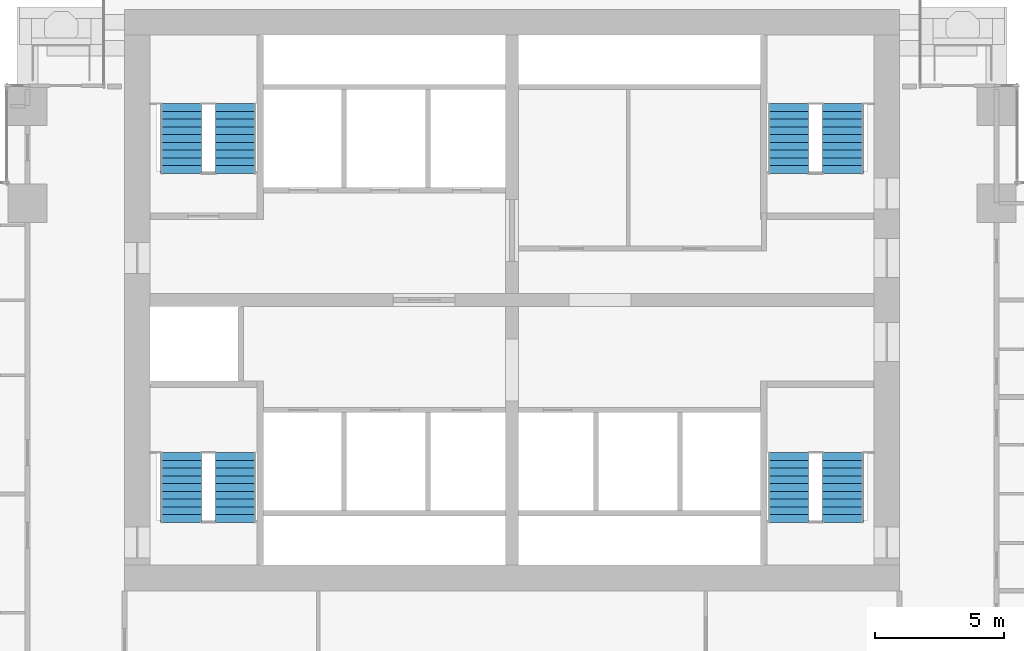
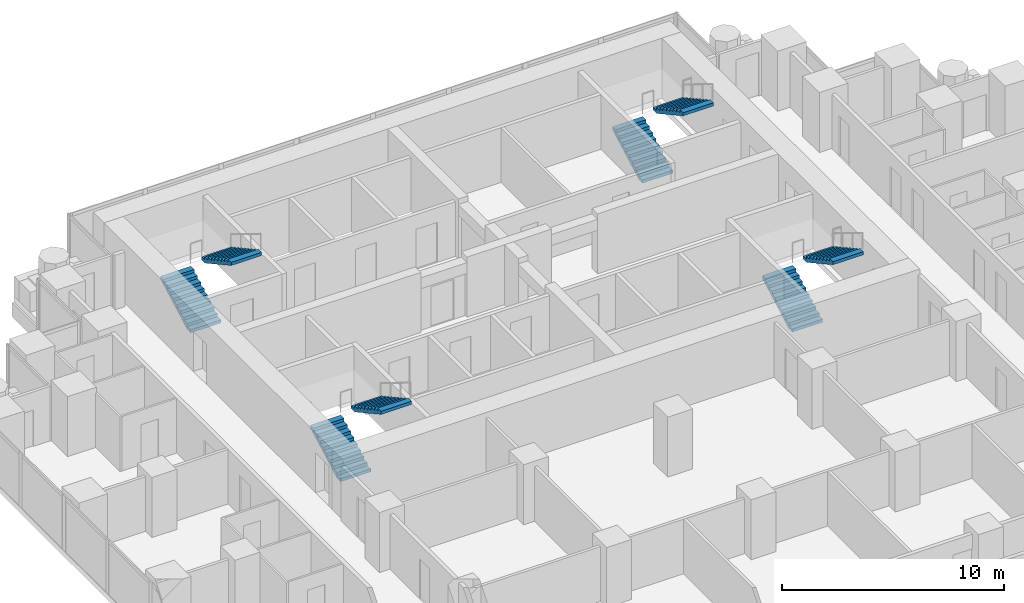
# One storey, part 17 of 20: 8 stair flights, 4 elements without a shape of their own.
"""IFC4 building model written with IfcOpenShell, lengths in metres."""

from ifc_helpers import new_model, si_unit, direction, frame, origin, place, context, subcontext, project, spatial, polyline, outline, extrude, material, type_object, element, aggregate, save


model = new_model("IFC4")

# Units and contexts
model_context = context("Model", 3, precision=1e-05, world=origin(), true_north=direction((0.0, 1.0)))
body_context = subcontext(model_context, "Body", "Model", "MODEL_VIEW")
ifc_project = project(units=[si_unit("LENGTHUNIT", "METRE"), si_unit("AREAUNIT", "SQUARE_METRE"), si_unit("VOLUMEUNIT", "CUBIC_METRE"), si_unit("PLANEANGLEUNIT", "RADIAN"), si_unit("MASSUNIT", "GRAM", prefix="KILO")], contexts=[model_context])

# Site, building, storey
site_placement = place(None, origin())
site = spatial("IfcSite", under=ifc_project, at=site_placement, CompositionType="ELEMENT")
building_placement = place(site_placement, origin())
building = spatial("IfcBuilding", under=site, at=building_placement, Name="Pilkhan Gate Tower", CompositionType="ELEMENT")
storey_placement = place(building_placement, frame((0.0, 0.0, 92.300048828125)))
storey = spatial("IfcBuildingStorey", under=building, at=storey_placement, Name="L22", CompositionType="ELEMENT", Elevation=92.300048828125)

# Stair, stair flights
ifc_material = material(Name="Concrete C40/50 precast", Category="concrete")
stair_type_1 = type_object("IfcStairType", Name="Stair ST1 165x300", PredefinedType="HALF_TURN_STAIR", material=ifc_material)
stair_1_placement = place(storey_placement, origin())
stair_1 = element("IfcStair", 1, at=stair_1_placement, inside=storey, type_object=stair_type_1, Name="Stair ST1 L22", PredefinedType="HALF_TURN_STAIR")
stair_flight_type_1 = type_object("IfcStairFlightType", Name="Stair flight ST1 165x300x10", PredefinedType="STRAIGHT", material=ifc_material)
stair_flight_1_placement = place(storey_placement, frame((85.68994140625, 73.89990234375, 0.0), z_axis=(0.0, 0.0, 1.0), x_axis=(0.0, 1.0, 0.0)))
stair_flight_1 = element("IfcStairFlight", 2, at=stair_flight_1_placement, type_object=stair_flight_type_1, Name="ST1 flight 1", NumberOfRisers=10, NumberOfTreads=9, PredefinedType="STRAIGHT", RiserHeight=0.165, TreadLength=0.3, context=body_context, shape_type="SweptSolid", body=[
    extrude(outline(polyline([(0.0, 0.0), (0.0, 0.1650390625), (0.300048828125, 0.1650390625), (0.300048828125, 0.330078125), (0.60009765625, 0.330078125), (0.60009765625, 0.4951171875), (0.89990234375, 0.4951171875), (0.89990234375, 0.659912109375), (1.199951171875, 0.659912109375), (1.199951171875, 0.824951171875), (1.5, 0.824951171875), (1.5, 0.989990234375), (1.800048828125, 0.989990234375), (1.800048828125, 1.155029296875), (2.10009765625, 1.155029296875), (2.10009765625, 1.320068359375), (2.39990234375, 1.320068359375), (2.39990234375, 1.485107421875), (2.699951171875, 1.485107421875), (2.699951171875, 1.64990234375), (2.699951171875, 1.31396484375), (0.31103515625, 0.0), (0.0, 0.0)])), frame((0.0, 0.7900390625, 0.0), z_axis=(0.0, -1.0, 0.0), x_axis=(1.0, 0.0, 0.0)), (0.0, 0.0, 1.0), 1.580078125),
])
stair_flight_2_placement = place(storey_placement, frame((87.81005859375, 76.60009765625, 1.64990234375), z_axis=(0.0, 0.0, 1.0), x_axis=(0.0, -1.0, 0.0)))
stair_flight_2 = element("IfcStairFlight", 3, at=stair_flight_2_placement, type_object=stair_flight_type_1, Name="ST1 flight 2", NumberOfRisers=10, NumberOfTreads=9, PredefinedType="STRAIGHT", RiserHeight=0.165, TreadLength=0.3, context=body_context, shape_type="SweptSolid", body=[
    extrude(outline(polyline([(0.0, 0.0), (0.0, 0.1650390625), (0.300048828125, 0.1650390625), (0.300048828125, 0.330078125), (0.60009765625, 0.330078125), (0.60009765625, 0.4951171875), (0.89990234375, 0.4951171875), (0.89990234375, 0.659912109375), (1.199951171875, 0.659912109375), (1.199951171875, 0.824951171875), (1.5, 0.824951171875), (1.5, 0.989990234375), (1.800048828125, 0.989990234375), (1.800048828125, 1.155029296875), (2.10009765625, 1.155029296875), (2.10009765625, 1.320068359375), (2.39990234375, 1.320068359375), (2.39990234375, 1.485107421875), (2.699951171875, 1.485107421875), (2.699951171875, 1.64990234375), (2.699951171875, 1.31396484375), (0.31103515625, 0.0), (0.0, 0.0)])), frame((0.0, 0.7900390625, 0.0), z_axis=(0.0, -1.0, 0.0), x_axis=(1.0, 0.0, 0.0)), (0.0, 0.0, 1.0), 1.580078125),
])
aggregate(stair_1, [stair_flight_1, stair_flight_2])

stair_type_2 = type_object("IfcStairType", Name="Stair ST2 165x300", PredefinedType="HALF_TURN_STAIR", material=ifc_material)
stair_2_placement = place(storey_placement, origin())
stair_2 = element("IfcStair", 4, at=stair_2_placement, inside=storey, type_object=stair_type_2, Name="Stair ST2 L22", PredefinedType="HALF_TURN_STAIR")
stair_flight_type_2 = type_object("IfcStairFlightType", Name="Stair flight ST2 165x300x10", PredefinedType="STRAIGHT", material=ifc_material)
stair_flight_3_placement = place(storey_placement, frame((62.18994140625, 73.89990234375, 0.0), z_axis=(0.0, 0.0, 1.0), x_axis=(0.0, 1.0, 0.0)))
stair_flight_3 = element("IfcStairFlight", 5, at=stair_flight_3_placement, type_object=stair_flight_type_2, Name="ST2 flight 1", NumberOfRisers=10, NumberOfTreads=9, PredefinedType="STRAIGHT", RiserHeight=0.165, TreadLength=0.3, context=body_context, shape_type="SweptSolid", body=[
    extrude(outline(polyline([(0.0, 0.0), (0.0, 0.1650390625), (0.300048828125, 0.1650390625), (0.300048828125, 0.330078125), (0.60009765625, 0.330078125), (0.60009765625, 0.4951171875), (0.89990234375, 0.4951171875), (0.89990234375, 0.659912109375), (1.199951171875, 0.659912109375), (1.199951171875, 0.824951171875), (1.5, 0.824951171875), (1.5, 0.989990234375), (1.800048828125, 0.989990234375), (1.800048828125, 1.155029296875), (2.10009765625, 1.155029296875), (2.10009765625, 1.320068359375), (2.39990234375, 1.320068359375), (2.39990234375, 1.485107421875), (2.699951171875, 1.485107421875), (2.699951171875, 1.64990234375), (2.699951171875, 1.31396484375), (0.31103515625, 0.0), (0.0, 0.0)])), frame((0.0, 0.7900390625, 0.0), z_axis=(0.0, -1.0, 0.0), x_axis=(1.0, 0.0, 0.0)), (0.0, 0.0, 1.0), 1.580078125),
])
stair_flight_4_placement = place(storey_placement, frame((64.31005859375, 76.60009765625, 1.64990234375), z_axis=(0.0, 0.0, 1.0), x_axis=(0.0, -1.0, 0.0)))
stair_flight_4 = element("IfcStairFlight", 6, at=stair_flight_4_placement, type_object=stair_flight_type_2, Name="ST2 flight 2", NumberOfRisers=10, NumberOfTreads=9, PredefinedType="STRAIGHT", RiserHeight=0.165, TreadLength=0.3, context=body_context, shape_type="SweptSolid", body=[
    extrude(outline(polyline([(0.0, 0.0), (0.0, 0.1650390625), (0.300048828125, 0.1650390625), (0.300048828125, 0.330078125), (0.60009765625, 0.330078125), (0.60009765625, 0.4951171875), (0.89990234375, 0.4951171875), (0.89990234375, 0.659912109375), (1.199951171875, 0.659912109375), (1.199951171875, 0.824951171875), (1.5, 0.824951171875), (1.5, 0.989990234375), (1.800048828125, 0.989990234375), (1.800048828125, 1.155029296875), (2.10009765625, 1.155029296875), (2.10009765625, 1.320068359375), (2.39990234375, 1.320068359375), (2.39990234375, 1.485107421875), (2.699951171875, 1.485107421875), (2.699951171875, 1.64990234375), (2.699951171875, 1.31396484375), (0.31103515625, 0.0), (0.0, 0.0)])), frame((0.0, 0.7900390625, 0.0), z_axis=(0.0, -1.0, 0.0), x_axis=(1.0, 0.0, 0.0)), (0.0, 0.0, 1.0), 1.580078125),
])
aggregate(stair_2, [stair_flight_3, stair_flight_4])

stair_type_3 = type_object("IfcStairType", Name="Stair ST3 165x300", PredefinedType="HALF_TURN_STAIR", material=ifc_material)
stair_3_placement = place(storey_placement, origin())
stair_3 = element("IfcStair", 7, at=stair_3_placement, inside=storey, type_object=stair_type_3, Name="Stair ST3 L22", PredefinedType="HALF_TURN_STAIR")
stair_flight_type_3 = type_object("IfcStairFlightType", Name="Stair flight ST3 165x300x10", PredefinedType="STRAIGHT", material=ifc_material)
stair_flight_5_placement = place(storey_placement, frame((62.18994140625, 87.39990234375, 0.0), z_axis=(0.0, 0.0, 1.0), x_axis=(0.0, 1.0, 0.0)))
stair_flight_5 = element("IfcStairFlight", 8, at=stair_flight_5_placement, type_object=stair_flight_type_3, Name="ST3 flight 1", NumberOfRisers=10, NumberOfTreads=9, PredefinedType="STRAIGHT", RiserHeight=0.165, TreadLength=0.3, context=body_context, shape_type="SweptSolid", body=[
    extrude(outline(polyline([(0.0, 0.0), (0.0, 0.1650390625), (0.300048828125, 0.1650390625), (0.300048828125, 0.330078125), (0.60009765625, 0.330078125), (0.60009765625, 0.4951171875), (0.89990234375, 0.4951171875), (0.89990234375, 0.659912109375), (1.199951171875, 0.659912109375), (1.199951171875, 0.824951171875), (1.5, 0.824951171875), (1.5, 0.989990234375), (1.800048828125, 0.989990234375), (1.800048828125, 1.155029296875), (2.10009765625, 1.155029296875), (2.10009765625, 1.320068359375), (2.39990234375, 1.320068359375), (2.39990234375, 1.485107421875), (2.699951171875, 1.485107421875), (2.699951171875, 1.64990234375), (2.699951171875, 1.31396484375), (0.31103515625, 0.0), (0.0, 0.0)])), frame((0.0, 0.7900390625, 0.0), z_axis=(0.0, -1.0, 0.0), x_axis=(1.0, 0.0, 0.0)), (0.0, 0.0, 1.0), 1.580078125),
])
stair_flight_6_placement = place(storey_placement, frame((64.31005859375, 90.10009765625, 1.64990234375), z_axis=(0.0, 0.0, 1.0), x_axis=(0.0, -1.0, 0.0)))
stair_flight_6 = element("IfcStairFlight", 9, at=stair_flight_6_placement, type_object=stair_flight_type_3, Name="ST3 flight 2", NumberOfRisers=10, NumberOfTreads=9, PredefinedType="STRAIGHT", RiserHeight=0.165, TreadLength=0.3, context=body_context, shape_type="SweptSolid", body=[
    extrude(outline(polyline([(0.0, 0.0), (0.0, 0.1650390625), (0.300048828125, 0.1650390625), (0.300048828125, 0.330078125), (0.60009765625, 0.330078125), (0.60009765625, 0.4951171875), (0.89990234375, 0.4951171875), (0.89990234375, 0.659912109375), (1.199951171875, 0.659912109375), (1.199951171875, 0.824951171875), (1.5, 0.824951171875), (1.5, 0.989990234375), (1.800048828125, 0.989990234375), (1.800048828125, 1.155029296875), (2.10009765625, 1.155029296875), (2.10009765625, 1.320068359375), (2.39990234375, 1.320068359375), (2.39990234375, 1.485107421875), (2.699951171875, 1.485107421875), (2.699951171875, 1.64990234375), (2.699951171875, 1.31396484375), (0.31103515625, 0.0), (0.0, 0.0)])), frame((0.0, 0.7900390625, 0.0), z_axis=(0.0, -1.0, 0.0), x_axis=(1.0, 0.0, 0.0)), (0.0, 0.0, 1.0), 1.580078125),
])
aggregate(stair_3, [stair_flight_5, stair_flight_6])

stair_type_4 = type_object("IfcStairType", Name="Stair ST4 165x300", PredefinedType="HALF_TURN_STAIR", material=ifc_material)
stair_4_placement = place(storey_placement, origin())
stair_4 = element("IfcStair", 10, at=stair_4_placement, inside=storey, type_object=stair_type_4, Name="Stair ST4 L22", PredefinedType="HALF_TURN_STAIR")
stair_flight_type_4 = type_object("IfcStairFlightType", Name="Stair flight ST4 165x300x10", PredefinedType="STRAIGHT", material=ifc_material)
stair_flight_7_placement = place(storey_placement, frame((85.68994140625, 87.39990234375, 0.0), z_axis=(0.0, 0.0, 1.0), x_axis=(0.0, 1.0, 0.0)))
stair_flight_7 = element("IfcStairFlight", 11, at=stair_flight_7_placement, type_object=stair_flight_type_4, Name="ST4 flight 1", NumberOfRisers=10, NumberOfTreads=9, PredefinedType="STRAIGHT", RiserHeight=0.165, TreadLength=0.3, context=body_context, shape_type="SweptSolid", body=[
    extrude(outline(polyline([(0.0, 0.0), (0.0, 0.1650390625), (0.300048828125, 0.1650390625), (0.300048828125, 0.330078125), (0.60009765625, 0.330078125), (0.60009765625, 0.4951171875), (0.89990234375, 0.4951171875), (0.89990234375, 0.659912109375), (1.199951171875, 0.659912109375), (1.199951171875, 0.824951171875), (1.5, 0.824951171875), (1.5, 0.989990234375), (1.800048828125, 0.989990234375), (1.800048828125, 1.155029296875), (2.10009765625, 1.155029296875), (2.10009765625, 1.320068359375), (2.39990234375, 1.320068359375), (2.39990234375, 1.485107421875), (2.699951171875, 1.485107421875), (2.699951171875, 1.64990234375), (2.699951171875, 1.31396484375), (0.31103515625, 0.0), (0.0, 0.0)])), frame((0.0, 0.7900390625, 0.0), z_axis=(0.0, -1.0, 0.0), x_axis=(1.0, 0.0, 0.0)), (0.0, 0.0, 1.0), 1.580078125),
])
stair_flight_8_placement = place(storey_placement, frame((87.81005859375, 90.10009765625, 1.64990234375), z_axis=(0.0, 0.0, 1.0), x_axis=(0.0, -1.0, 0.0)))
stair_flight_8 = element("IfcStairFlight", 12, at=stair_flight_8_placement, type_object=stair_flight_type_4, Name="ST4 flight 2", NumberOfRisers=10, NumberOfTreads=9, PredefinedType="STRAIGHT", RiserHeight=0.165, TreadLength=0.3, context=body_context, shape_type="SweptSolid", body=[
    extrude(outline(polyline([(0.0, 0.0), (0.0, 0.1650390625), (0.300048828125, 0.1650390625), (0.300048828125, 0.330078125), (0.60009765625, 0.330078125), (0.60009765625, 0.4951171875), (0.89990234375, 0.4951171875), (0.89990234375, 0.659912109375), (1.199951171875, 0.659912109375), (1.199951171875, 0.824951171875), (1.5, 0.824951171875), (1.5, 0.989990234375), (1.800048828125, 0.989990234375), (1.800048828125, 1.155029296875), (2.10009765625, 1.155029296875), (2.10009765625, 1.320068359375), (2.39990234375, 1.320068359375), (2.39990234375, 1.485107421875), (2.699951171875, 1.485107421875), (2.699951171875, 1.64990234375), (2.699951171875, 1.31396484375), (0.31103515625, 0.0), (0.0, 0.0)])), frame((0.0, 0.7900390625, 0.0), z_axis=(0.0, -1.0, 0.0), x_axis=(1.0, 0.0, 0.0)), (0.0, 0.0, 1.0), 1.580078125),
])
aggregate(stair_4, [stair_flight_7, stair_flight_8])

save(model, "model.ifc")
